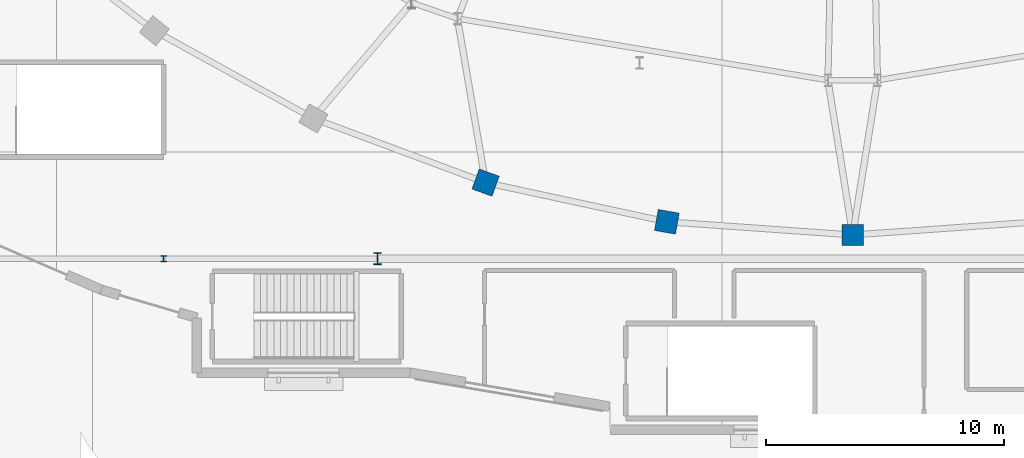
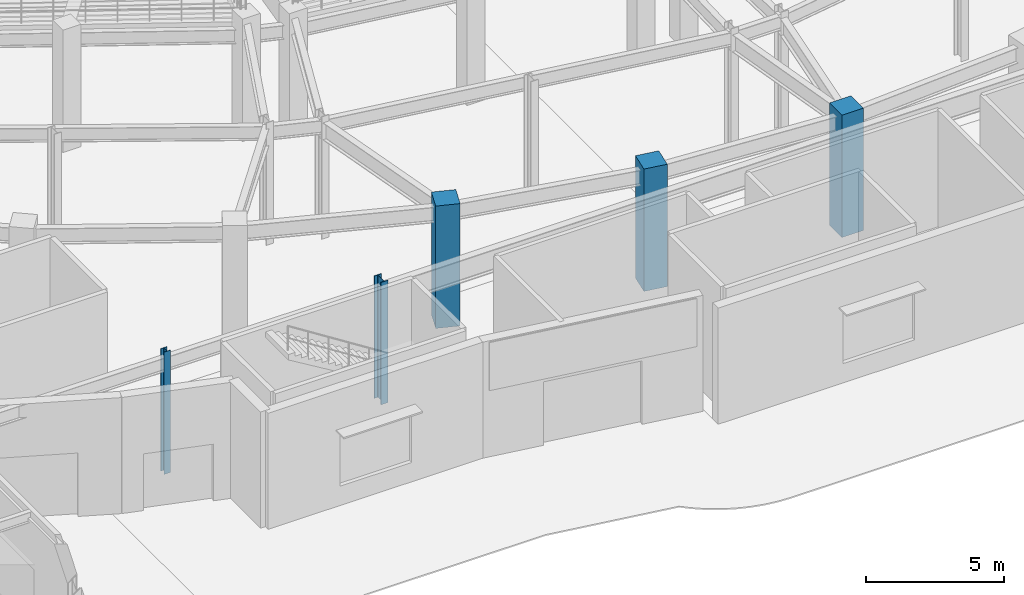
# One storey, part 5 of 79: 5 columns.
"""IFC4 building model written with IfcOpenShell, lengths in metres."""

from ifc_helpers import new_model, si_unit, direction, frame, origin, origin_2d, place, context, subcontext, project, spatial, rectangle, i_section, extrude, material, material_profile, profile_set, type_object, element, save


model = new_model("IFC4")

# Units and contexts
model_context = context("Model", 3, precision=1e-05, world=origin(), true_north=direction((0.0, 1.0)))
body_context = subcontext(model_context, "Body", "Model", "MODEL_VIEW")
ifc_project = project(units=[si_unit("LENGTHUNIT", "METRE"), si_unit("AREAUNIT", "SQUARE_METRE"), si_unit("VOLUMEUNIT", "CUBIC_METRE"), si_unit("PLANEANGLEUNIT", "RADIAN"), si_unit("MASSUNIT", "GRAM", prefix="KILO")], contexts=[model_context])

# Site, building, storey
site_placement = place(None, origin())
site = spatial("IfcSite", under=ifc_project, at=site_placement, CompositionType="ELEMENT")
building_placement = place(site_placement, origin())
building = spatial("IfcBuilding", under=site, at=building_placement, Name="Glasvene Arena", CompositionType="ELEMENT")
storey_placement = place(building_placement, origin())
storey = spatial("IfcBuildingStorey", under=building, at=storey_placement, Name="L00", CompositionType="ELEMENT", Elevation=0.0)

# Columns
ifc_material_1 = material(Name="Concrete C40/50", Category="concrete")
ifc_material_profile_1 = material_profile(ifc_material_1, rectangle(XDim=0.89990234375, YDim=0.89990234375, at=origin_2d()), Name="RC 900x900")
ifc_profile_set_1 = profile_set([ifc_material_profile_1], Name="Concrete C40/50")
column_type_1 = type_object("IfcColumnType", Name="COL-BOWL-RC900", PredefinedType="COLUMN", material=ifc_profile_set_1)
for number, where, z_axis, x_axis, name in (
    (1, (76.54931640625, 30.202392578125, 0.0), (0.0, 0.0, 1.0), (-0.339558864524, -0.94058480613, 0.0), "Bowl ring column R29 L00"),
    (2, (84.17822265625, 28.553955078125, 0.0), (0.0, 0.0, 1.0), (-0.173304404339, -0.984868307662, 0.0), "Bowl ring column R30 L00"),
    (3, (92.0, 28.0, 0.0), (0.0, 0.0, 1.0), (0.0, -1.0, 0.0), "Bowl ring column R31 L00"),
):
    element("IfcColumn", number, at=place(storey_placement, frame(where, z_axis=z_axis, x_axis=x_axis)), inside=storey, type_object=column_type_1, Name=name, PredefinedType="COLUMN", context=body_context, shape_type="SweptSolid", body=[
        extrude(rectangle(XDim=0.89990234375, YDim=0.89990234375, at=origin_2d()), origin(), (0.0, 0.0, 1.0), 5.39990234375),
    ])
ifc_material_2 = material(Name="Steel S355J2", Category="steel")
ifc_material_profile_2 = material_profile(ifc_material_2, i_section(OverallWidth=0.300048828125, OverallDepth=0.5, WebThickness=0.014404296875, FlangeThickness=0.028076171875, FilletRadius=0.027099609375, at=origin_2d()), Name="HEB 500")
ifc_profile_set_2 = profile_set([ifc_material_profile_2], Name="Steel S355J2")
column_type_2 = type_object("IfcColumnType", Name="COL-W-HEB500", PredefinedType="COLUMN", material=ifc_profile_set_2)
column_1_placement = place(storey_placement, frame((72.0, 27.0, 0.0), z_axis=(0.0, 0.0, 1.0), x_axis=(1.0, 0.0, 0.0)))
element("IfcColumn", 4, at=column_1_placement, inside=storey, type_object=column_type_2, Name="Grid column 9-4 L00", PredefinedType="COLUMN", context=body_context, shape_type="SweptSolid", body=[
    extrude(i_section(OverallWidth=0.300048828125, OverallDepth=0.5, WebThickness=0.014404296875, FlangeThickness=0.028076171875, FilletRadius=0.027099609375, at=origin_2d()), origin(), (0.0, 0.0, 1.0), 5.39990234375),
])
ifc_material_profile_3 = material_profile(ifc_material_2, i_section(OverallWidth=0.25634765625, OverallDepth=0.26025390625, WebThickness=0.01025390625, FlangeThickness=0.017333984375, FilletRadius=0.0126953125, at=origin_2d()), Name="UKC 254x254x89")
ifc_profile_set_3 = profile_set([ifc_material_profile_3], Name="Steel S355J2")
column_type_3 = type_object("IfcColumnType", Name="COL-W-UKC89", PredefinedType="COLUMN", material=ifc_profile_set_3)
column_2_placement = place(storey_placement, frame((63.0, 27.0, 0.0), z_axis=(0.0, 0.0, 1.0), x_axis=(1.0, 0.0, 0.0)))
element("IfcColumn", 5, at=column_2_placement, inside=storey, type_object=column_type_3, Name="Grid column 8-4 L00", PredefinedType="COLUMN", context=body_context, shape_type="SweptSolid", body=[
    extrude(i_section(OverallWidth=0.25634765625, OverallDepth=0.26025390625, WebThickness=0.01025390625, FlangeThickness=0.017333984375, FilletRadius=0.0126953125, at=origin_2d()), origin(), (0.0, 0.0, 1.0), 5.39990234375),
])

save(model, "model.ifc")
